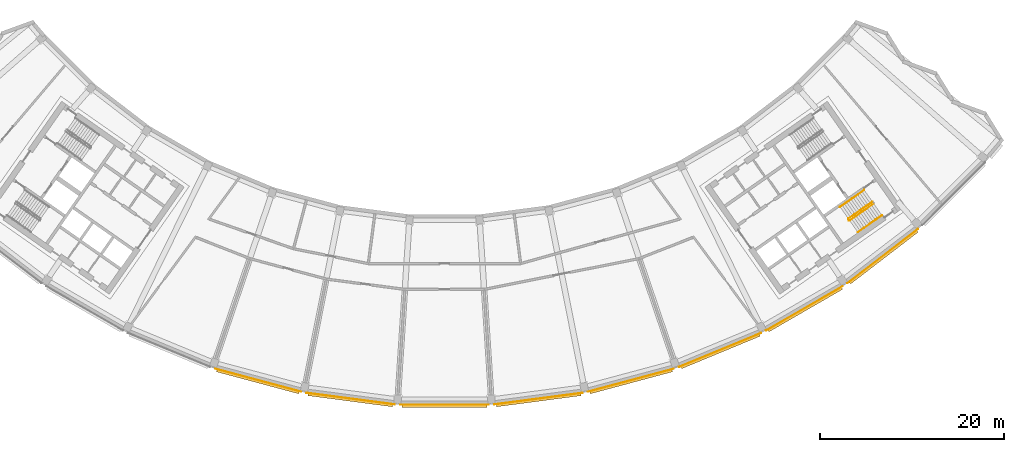
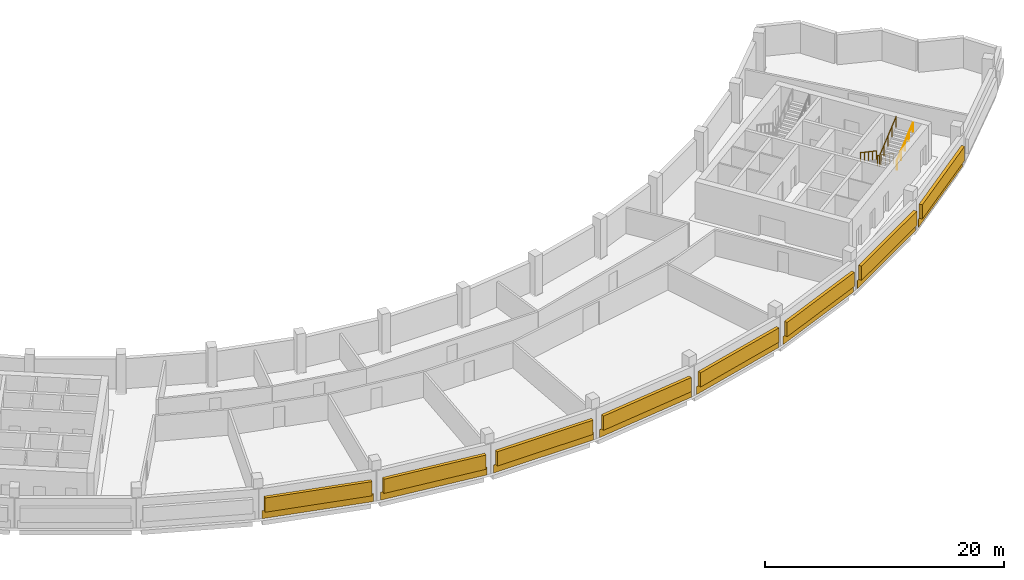
# One storey, part 11 of 12: 8 coverings, 8 shading devices, 4 railings.
"""IFC4 building model written with IfcOpenShell, lengths in metres."""

import ifcopenshell
import ifcopenshell.guid

model = None  # the IFC model being written
_history = None  # IfcOwnerHistory: only IFC2X3 demands one
_inside = {}  # id of a spatial element -> (the spatial element, [elements in it])
_under = {}  # id of a project, library or spatial element -> (it, [spatial elements below it])
_declared = {}  # id of a project -> (the project, [libraries it declares])
_typed = {}  # id of a type object -> (the type object, [elements of that type])
_made_of = {}  # id of a material, layer set ... -> (it, [elements and type objects made of it])


def new_model(schema):
    """Start an empty IFC model of exactly this schema.

    Asked for "IFC4X3", IfcOpenShell would pick the latest addendum, in which some entities
    have other attributes; the version numbers below select the first issue.
    IFC2X3 requires an IfcOwnerHistory on every rooted entity: one is made here for all.
    """
    global model, _history
    if schema == "IFC4X3":
        model = ifcopenshell.file(schema_version=(4, 3, 0, 0))
    else:
        model = ifcopenshell.file(schema=schema)
    _inside.clear()
    _under.clear()
    _declared.clear()
    _typed.clear()
    _made_of.clear()
    _history = None
    if model.schema == "IFC2X3":
        org = make("IfcOrganization", Name="unknown")
        user = make(
            "IfcPersonAndOrganization",
            ThePerson=make("IfcPerson", FamilyName="unknown"),
            TheOrganization=org,
        )
        app = make(
            "IfcApplication",
            ApplicationDeveloper=org,
            Version="unknown",
            ApplicationFullName="unknown",
            ApplicationIdentifier="unknown",
        )
        _history = make(
            "IfcOwnerHistory",
            OwningUser=user,
            OwningApplication=app,
            ChangeAction="ADDED",
            CreationDate=0,
        )
    return model


def make(cls, **values):
    """One entity of the class cls with the attributes given. An attribute that is None is left unset."""
    return model.create_entity(
        cls, **{name: value for name, value in values.items() if value is not None}
    )


def rooted(cls, **values):
    """An entity with a GlobalId (a new one), such as an element, a storey or a relation."""
    return make(cls, GlobalId=ifcopenshell.guid.new(), OwnerHistory=_history, **values)


def si_unit(unit_type, name, prefix=None):
    """IfcSIUnit, for example si_unit("LENGTHUNIT", "METRE", prefix="MILLI")."""
    return make("IfcSIUnit", UnitType=unit_type, Prefix=prefix, Name=name)


def assignment(units):
    """IfcUnitAssignment: the units of a project."""
    return None if units is None else make("IfcUnitAssignment", Units=units)


def point(xyz):
    """IfcCartesianPoint."""
    return None if xyz is None else make("IfcCartesianPoint", Coordinates=xyz)


def direction(xyz):
    """IfcDirection."""
    return None if xyz is None else make("IfcDirection", DirectionRatios=xyz)


def frame(location, z_axis=None, x_axis=None):
    """IfcAxis2Placement3D, a coordinate frame: its origin and axes. An axis left out is left unset."""
    return make(
        "IfcAxis2Placement3D",
        Location=point(location),
        Axis=direction(z_axis),
        RefDirection=direction(x_axis),
    )


def frame_2d(location, x_axis=None):
    """IfcAxis2Placement2D, a coordinate frame in the plane: its origin and x axis."""
    return make(
        "IfcAxis2Placement2D", Location=point(location), RefDirection=direction(x_axis)
    )


def origin():
    """The frame at (0, 0, 0) with its axes left unset."""
    return frame((0.0, 0.0, 0.0))


def origin_2d():
    """The frame at (0, 0) in the plane with its x axis left unset."""
    return frame_2d((0.0, 0.0))


def place(relative_to, where):
    """IfcLocalPlacement: puts the frame where relative to a parent placement (None: the world)."""
    return make(
        "IfcLocalPlacement", PlacementRelTo=relative_to, RelativePlacement=where
    )


def context(
    kind, dimensions, precision=None, world=None, true_north=None, identifier=None
):
    """IfcGeometricRepresentationContext, for example the 3D "Model" context."""
    return make(
        "IfcGeometricRepresentationContext",
        ContextIdentifier=identifier,
        ContextType=kind,
        CoordinateSpaceDimension=dimensions,
        Precision=precision,
        WorldCoordinateSystem=world,
        TrueNorth=true_north,
    )


def subcontext(parent, identifier, kind, view, scale=None):
    """IfcGeometricRepresentationSubContext, for example "Body" below "Model"."""
    return make(
        "IfcGeometricRepresentationSubContext",
        ContextIdentifier=identifier,
        ContextType=kind,
        ParentContext=parent,
        TargetScale=scale,
        TargetView=view,
    )


def project(units=None, contexts=None):
    """IfcProject with its units and contexts."""
    return rooted(
        "IfcProject",
        Name="project",
        RepresentationContexts=contexts,
        UnitsInContext=assignment(units),
    )


def spatial(cls, under=None, at=None, **own):
    """A site, building, storey or space (cls), placed at a placement, below another one or the project."""
    s = rooted(cls, ObjectPlacement=at, **own)
    if under is not None:
        _under.setdefault(under.id(), (under, []))[1].append(s)
    return s


def profile(cls, at=None, kind="AREA", **sizes):
    """A parametric profile (cls). Its sizes go by their IFC names, for example OverallWidth=200.0."""
    return make(cls, ProfileType=kind, Position=at, **sizes)


def rectangle(**sizes):
    """IfcRectangleProfileDef."""
    return profile("IfcRectangleProfileDef", **sizes)


def circle(**sizes):
    """IfcCircleProfileDef."""
    return profile("IfcCircleProfileDef", **sizes)


def extrude(swept, where, along, depth):
    """IfcExtrudedAreaSolid: the profile swept, set in the frame where, extruded along a direction by depth."""
    return make(
        "IfcExtrudedAreaSolid",
        SweptArea=swept,
        Position=where,
        ExtrudedDirection=direction(along),
        Depth=depth,
    )


def shape(context_of_items, identifier, shape_type, items):
    """IfcShapeRepresentation: the items that make up one representation, for example the "Body"."""
    return make(
        "IfcShapeRepresentation",
        ContextOfItems=context_of_items,
        RepresentationIdentifier=identifier,
        RepresentationType=shape_type,
        Items=items,
    )


def material(Name=None, Category=None):
    """IfcMaterial."""
    return make("IfcMaterial", Name=Name, Category=Category)


def layer(
    of_material, thickness, ventilated=None, Name=None, Category=None, Priority=None
):
    """IfcMaterialLayer: one layer of a wall or slab, of a material (None: an air gap)."""
    return make(
        "IfcMaterialLayer",
        Material=of_material,
        LayerThickness=thickness,
        IsVentilated=ventilated,
        Name=Name,
        Category=Category,
        Priority=Priority,
    )


def layer_set(layers, Name=None):
    """IfcMaterialLayerSet."""
    return make("IfcMaterialLayerSet", MaterialLayers=layers, LayerSetName=Name)


def made_of(thing, what):
    """Note that an element or type object is made of a material, layer set ...; save() writes the relation."""
    if what is not None:
        _made_of.setdefault(what.id(), (what, []))[1].append(thing)
    return thing


def type_object(cls, material=None, **own):
    """A type object (cls), such as IfcWallType, which elements share."""
    return made_of(rooted(cls, **own), material)


def element(
    cls,
    number,
    at=None,
    inside=None,
    cuts=None,
    type_object=None,
    material=None,
    context=None,
    identifier="Body",
    shape_type=None,
    held_by="IfcProductDefinitionShape",
    body=None,
    shapes=None,
    **own,
):
    """One element of the class cls, such as IfcWall. Its Tag is "e" and its number.

    at: its placement. inside: the storey or other place that contains it. cuts: it is an
    opening in that element (IfcRelVoidsElement). A single representation is given by context,
    identifier, shape_type and body (its items); several are given by shapes. held_by: the class
    of the entity that holds the representations. save() writes the other relations.
    """
    e = rooted(cls, Tag="e%d" % number, ObjectPlacement=at, **own)
    if body is not None:
        shapes = [shape(context, identifier, shape_type, body)]
    if shapes is not None:
        e.Representation = make(held_by, Representations=shapes)
    if inside is not None:
        _inside.setdefault(inside.id(), (inside, []))[1].append(e)
    if cuts is not None:
        rooted(
            "IfcRelVoidsElement", RelatingBuildingElement=cuts, RelatedOpeningElement=e
        )
    if type_object is not None:
        _typed.setdefault(type_object.id(), (type_object, []))[1].append(e)
    return made_of(e, material)


def aggregate(whole, parts):
    """IfcRelAggregates: a whole, such as a stair, and the parts it consists of."""
    return rooted("IfcRelAggregates", RelatingObject=whole, RelatedObjects=parts)


def save(model, path):
    """Write the relations noted so far, then the file.

    IfcRelAggregates (storeys below a building ...), IfcRelContainedInSpatialStructure (elements
    in a storey), IfcRelDefinesByType, IfcRelAssociatesMaterial and IfcRelDeclares: one each for
    every whole, place, type object, material and project.
    """
    for whole, parts in _under.values():
        aggregate(whole, parts)
    for where, things in _inside.values():
        rooted(
            "IfcRelContainedInSpatialStructure",
            RelatedElements=things,
            RelatingStructure=where,
        )
    for kind, things in _typed.values():
        rooted("IfcRelDefinesByType", RelatedObjects=things, RelatingType=kind)
    for what, things in _made_of.values():
        rooted("IfcRelAssociatesMaterial", RelatedObjects=things, RelatingMaterial=what)
    for by, libraries in _declared.values():
        rooted("IfcRelDeclares", RelatingContext=by, RelatedDefinitions=libraries)
    model.write(path)


model = new_model("IFC4")

# Units and contexts
model_context = context("Model", 3, precision=1e-05, world=origin(), true_north=direction((0.0, 1.0)))
body_context = subcontext(model_context, "Body", "Model", "MODEL_VIEW")
ifc_project = project(units=[si_unit("LENGTHUNIT", "METRE"), si_unit("AREAUNIT", "SQUARE_METRE"), si_unit("VOLUMEUNIT", "CUBIC_METRE"), si_unit("PLANEANGLEUNIT", "RADIAN"), si_unit("MASSUNIT", "GRAM", prefix="KILO")], contexts=[model_context])

# Site, building, storey
site_placement = place(None, origin())
site = spatial("IfcSite", under=ifc_project, at=site_placement, CompositionType="ELEMENT")
building_placement = place(site_placement, origin())
building = spatial("IfcBuilding", under=site, at=building_placement, Name="Qamariyya Broadcast Tower", CompositionType="ELEMENT")
storey_placement = place(building_placement, frame((0.0, 0.0, 290.699951171875)))
storey = spatial("IfcBuildingStorey", under=building, at=storey_placement, Name="L70", CompositionType="ELEMENT", Elevation=290.699951171875)

# Railings
ifc_material_1 = material(Name="Painted steel", Category="steel")
railing_type_1 = type_object("IfcRailingType", Name="Stair guard", PredefinedType="GUARDRAIL", material=ifc_material_1)
railing_1_placement = place(storey_placement, frame((46.48095703125, -56.14306640625, 0.166748046875)))
element("IfcRailing", 1, at=railing_1_placement, inside=storey, type_object=railing_type_1, Name="L70 ST-E1 stair guard 1", PredefinedType="GUARDRAIL", context=body_context, shape_type="SweptSolid", body=[
    extrude(circle(Radius=0.02392578125, at=origin_2d()), frame((0.0, 0.0, 1.076171875), z_axis=(-0.710227693972, -0.497285465629, 0.498280832854), x_axis=(0.573559936391, -0.819163597438, 0.0)), (0.0, 0.0, 1.0), 3.67919921875),
    extrude(circle(Radius=0.02392578125, at=origin_2d()), frame((-2.613037109375, -1.82958984375, 2.9091796875), z_axis=(-0.176149252506, -0.984363469884, 0.0), x_axis=(0.984363469884, -0.176149252506, 0.0)), (0.0, 0.0, 1.0), 0.07080078125),
    extrude(circle(Radius=0.02392578125, at=origin_2d()), frame((-2.62548828125, -1.899169921875, 2.9091796875), z_axis=(0.57368046593, -0.819079192149, 0.0), x_axis=(0.819079192149, 0.57368046593, 0.0)), (0.0, 0.0, 1.0), 0.150146484375),
    extrude(circle(Radius=0.02099609375, at=origin_2d()), origin(), (0.0, 0.0, 1.0), 1.052001953125),
    extrude(circle(Radius=0.02099609375, at=origin_2d()), frame((-0.6533203125, -0.45751953125, 0.458251953125)), (0.0, 0.0, 1.0), 1.052001953125),
    extrude(circle(Radius=0.02099609375, at=origin_2d()), frame((-1.306640625, -0.914794921875, 0.91650390625)), (0.0, 0.0, 1.0), 1.052001953125),
    extrude(circle(Radius=0.02099609375, at=origin_2d()), frame((-1.959716796875, -1.3720703125, 1.375)), (0.0, 0.0, 1.0), 1.052001953125),
    extrude(circle(Radius=0.02099609375, at=origin_2d()), frame((-2.613037109375, -1.82958984375, 1.833251953125)), (0.0, 0.0, 1.0), 1.052001953125),
    extrude(circle(Radius=0.02099609375, at=origin_2d()), frame((-2.62548828125, -1.899169921875, 1.833251953125)), (0.0, 0.0, 1.0), 1.052001953125),
    extrude(circle(Radius=0.02099609375, at=origin_2d()), frame((-2.539306640625, -2.022216796875, 1.833251953125)), (0.0, 0.0, 1.0), 1.052001953125),
])
railing_2_placement = place(storey_placement, frame((44.01123046875, -58.177490234375, 2.166748046875)))
element("IfcRailing", 2, at=railing_2_placement, inside=storey, type_object=railing_type_1, Name="L70 ST-E1 stair guard 2", PredefinedType="GUARDRAIL", context=body_context, shape_type="SweptSolid", body=[
    extrude(circle(Radius=0.02392578125, at=origin_2d()), frame((0.0, 0.0, 1.076171875), z_axis=(0.710204256923, 0.497335411159, 0.498264389913), x_axis=(-0.573611290809, 0.819127637829, 0.0)), (0.0, 0.0, 1.0), 3.67919921875),
    extrude(circle(Radius=0.02099609375, at=origin_2d()), origin(), (0.0, 0.0, 1.0), 1.052001953125),
    extrude(circle(Radius=0.02099609375, at=origin_2d()), frame((0.6533203125, 0.45751953125, 0.458251953125)), (0.0, 0.0, 1.0), 1.052001953125),
    extrude(circle(Radius=0.02099609375, at=origin_2d()), frame((1.306640625, 0.9150390625, 0.91650390625)), (0.0, 0.0, 1.0), 1.052001953125),
    extrude(circle(Radius=0.02099609375, at=origin_2d()), frame((1.959716796875, 1.372314453125, 1.375)), (0.0, 0.0, 1.0), 1.052001953125),
    extrude(circle(Radius=0.02099609375, at=origin_2d()), frame((2.613037109375, 1.829833984375, 1.833251953125)), (0.0, 0.0, 1.0), 1.052001953125),
])
ifc_material_2 = material(Name="Stainless steel", Category="steel")
railing_type_2 = type_object("IfcRailingType", Name="Stair handrail", PredefinedType="HANDRAIL", material=ifc_material_2)
railing_3_placement = place(storey_placement, frame((45.591796875, -54.873291015625, 0.166748046875)))
element("IfcRailing", 3, at=railing_3_placement, inside=storey, type_object=railing_type_2, Name="L70 ST-E1 stair handrail 1", PredefinedType="HANDRAIL", context=body_context, shape_type="SweptSolid", body=[
    extrude(circle(Radius=0.02392578125, at=origin_2d()), frame((0.0, 0.0, 0.8759765625), z_axis=(-0.710227693972, -0.497285465629, 0.498280832854), x_axis=(0.573559936391, -0.819163597438, 0.0)), (0.0, 0.0, 1.0), 3.67919921875),
    extrude(circle(Radius=0.02099609375, at=origin_2d()), origin(), (0.0, 0.0, 1.0), 0.851806640625),
    extrude(circle(Radius=0.02099609375, at=origin_2d()), frame((-0.6533203125, -0.45751953125, 0.458251953125)), (0.0, 0.0, 1.0), 0.851806640625),
    extrude(circle(Radius=0.02099609375, at=origin_2d()), frame((-1.306640625, -0.914794921875, 0.91650390625)), (0.0, 0.0, 1.0), 0.851806640625),
    extrude(circle(Radius=0.02099609375, at=origin_2d()), frame((-1.959716796875, -1.3720703125, 1.375)), (0.0, 0.0, 1.0), 0.851806640625),
    extrude(circle(Radius=0.02099609375, at=origin_2d()), frame((-2.613037109375, -1.82958984375, 1.833251953125)), (0.0, 0.0, 1.0), 0.851806640625),
])
railing_4_placement = place(storey_placement, frame((44.900390625, -59.447265625, 2.166748046875)))
element("IfcRailing", 4, at=railing_4_placement, inside=storey, type_object=railing_type_2, Name="L70 ST-E1 stair handrail 2", PredefinedType="HANDRAIL", context=body_context, shape_type="SweptSolid", body=[
    extrude(circle(Radius=0.02392578125, at=origin_2d()), frame((0.0, 0.0, 0.8759765625), z_axis=(0.710204256923, 0.497335411159, 0.498264389913), x_axis=(-0.573611290809, 0.819127637829, 0.0)), (0.0, 0.0, 1.0), 3.67919921875),
    extrude(circle(Radius=0.02099609375, at=origin_2d()), origin(), (0.0, 0.0, 1.0), 0.851806640625),
    extrude(circle(Radius=0.02099609375, at=origin_2d()), frame((0.6533203125, 0.45751953125, 0.458251953125)), (0.0, 0.0, 1.0), 0.851806640625),
    extrude(circle(Radius=0.02099609375, at=origin_2d()), frame((1.306640625, 0.9150390625, 0.91650390625)), (0.0, 0.0, 1.0), 0.851806640625),
    extrude(circle(Radius=0.02099609375, at=origin_2d()), frame((1.959716796875, 1.372314453125, 1.375)), (0.0, 0.0, 1.0), 0.851806640625),
    extrude(circle(Radius=0.02099609375, at=origin_2d()), frame((2.613037109375, 1.829833984375, 1.833251953125)), (0.0, 0.0, 1.0), 0.851806640625),
])

# Coverings
ifc_material_3 = material(Name="Glazed terracotta", Category="masonry")
ifc_layer = layer(ifc_material_3, 0.030029296875)
ifc_layer_set = layer_set([ifc_layer], Name="Terracotta cladding panel 30, crown band")
covering_type = type_object("IfcCoveringType", Name="Terracotta cladding panel 30, crown band", PredefinedType="CLADDING", material=ifc_layer_set)
for number, where, z_axis, x_axis, name in (
    (5, (-20.239013671875, -75.53271484375, 0.0), (0.0, 0.0, 1.0), (0.965925826289, -0.258819045103, 0.0), "e-cl-L70-05"),
    (6, (-10.206787109375, -77.5283203125, 0.0), (0.0, 0.0, 1.0), (0.991444861374, -0.13052619222, 0.0), "e-cl-L70-06"),
    (7, (0.0, -78.197265625, 0.0), (0.0, 0.0, 1.0), (1.0, 0.0, 0.0), "e-cl-L70-07"),
    (8, (10.206787109375, -77.5283203125, 0.0), (0.0, 0.0, 1.0), (0.991444861374, 0.13052619222, 0.0), "e-cl-L70-08"),
    (9, (20.239013671875, -75.53271484375, 0.0), (0.0, 0.0, 1.0), (0.965925826289, 0.258819045103, 0.0), "e-cl-L70-09"),
    (10, (29.9248046875, -72.244873046875, 0.0), (0.0, 0.0, 1.0), (0.923879532511, 0.382683432365, 0.0), "e-cl-L70-10"),
    (11, (39.0986328125, -67.720703125, 0.0), (0.0, 0.0, 1.0), (0.866025403784, 0.5, 0.0), "e-cl-L70-11"),
    (12, (47.603515625, -62.0380859375, 0.0), (0.0, 0.0, 1.0), (0.793353340291, 0.608761429009, 0.0), "e-cl-L70-12"),
):
    element("IfcCovering", number, at=place(storey_placement, frame(where, z_axis=z_axis, x_axis=x_axis)), inside=storey, type_object=covering_type, Name=name, PredefinedType="CLADDING", context=body_context, shape_type="SweptSolid", body=[
        extrude(rectangle(XDim=9.648681640625, YDim=0.030029296875, at=origin_2d()), origin(), (0.0, 0.0, 1.0), 0.800048828125),
    ])

# Shading devices
shading_device_type = type_object("IfcShadingDeviceType", Name="Terracotta louvre bank", PredefinedType="USERDEFINED", material=ifc_material_3)
for number, where, z_axis, x_axis, name in (
    (13, (-20.27392578125, -75.6630859375, 0.80029296875), (0.0, 0.0, 1.0), (0.965925826289, -0.258819045103, 0.0), "e-lv-L70-05"),
    (14, (-10.224365234375, -77.662109375, 0.80029296875), (0.0, 0.0, 1.0), (0.991444861374, -0.13052619222, 0.0), "e-lv-L70-06"),
    (15, (0.0, -78.332275390625, 0.80029296875), (0.0, 0.0, 1.0), (1.0, 0.0, 0.0), "e-lv-L70-07"),
    (16, (10.224365234375, -77.662109375, 0.80029296875), (0.0, 0.0, 1.0), (0.991444861374, 0.13052619222, 0.0), "e-lv-L70-08"),
    (17, (20.27392578125, -75.6630859375, 0.80029296875), (0.0, 0.0, 1.0), (0.965925826289, 0.258819045103, 0.0), "e-lv-L70-09"),
    (18, (29.9765625, -72.36962890625, 0.80029296875), (0.0, 0.0, 1.0), (0.923879532511, 0.382683432365, 0.0), "e-lv-L70-10"),
    (19, (39.166015625, -67.837646484375, 0.80029296875), (0.0, 0.0, 1.0), (0.866025403784, 0.5, 0.0), "e-lv-L70-11"),
    (20, (47.685546875, -62.145263671875, 0.80029296875), (0.0, 0.0, 1.0), (0.793353340291, 0.608761429009, 0.0), "e-lv-L70-12"),
):
    element("IfcShadingDevice", number, at=place(storey_placement, frame(where, z_axis=z_axis, x_axis=x_axis)), inside=storey, type_object=shading_device_type, Name=name, ObjectType="LOUVRE", PredefinedType="USERDEFINED", context=body_context, shape_type="SweptSolid", body=[
        extrude(rectangle(XDim=9.248779296875, YDim=0.300048828125, at=origin_2d()), origin(), (0.0, 0.0, 1.0), 1.449951171875),
    ])

save(model, "model.ifc")
